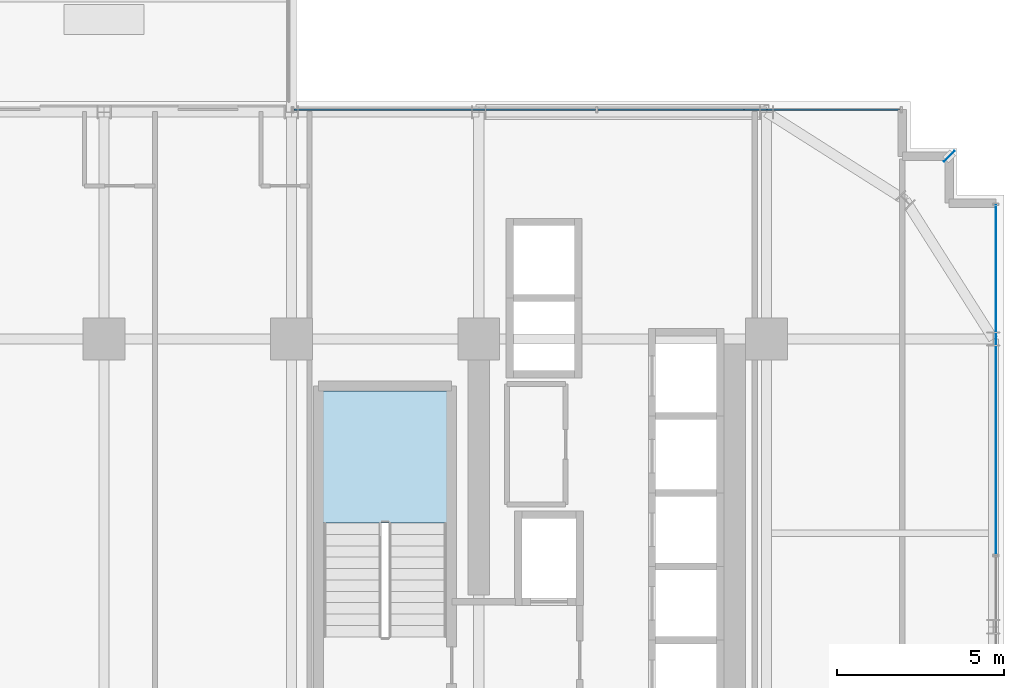
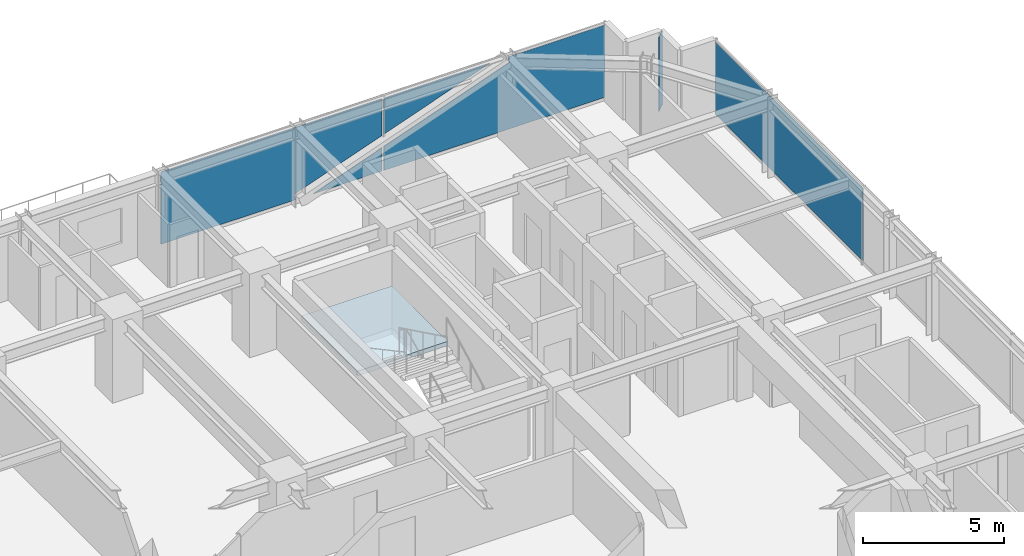
# One storey, part 31 of 39: 4 plates, 1 slab, 3 elements without a shape of their own.
"""IFC4 building model written with IfcOpenShell, lengths in metres."""

from ifc_helpers import new_model, si_unit, direction, frame, origin, origin_2d, place, context, subcontext, project, spatial, polyline, rectangle, outline, extrude, source, transform, mapped, material, layer, layer_set, type_object, element, aggregate, save


model = new_model("IFC4")

# Units and contexts
model_context = context("Model", 3, precision=1e-05, world=origin(), true_north=direction((0.0, 1.0)))
body_context = subcontext(model_context, "Body", "Model", "MODEL_VIEW")
ifc_project = project(units=[si_unit("LENGTHUNIT", "METRE"), si_unit("AREAUNIT", "SQUARE_METRE"), si_unit("VOLUMEUNIT", "CUBIC_METRE"), si_unit("PLANEANGLEUNIT", "RADIAN"), si_unit("MASSUNIT", "GRAM", prefix="KILO")], contexts=[model_context])

# Site, building, storey
site_placement = place(None, origin())
site = spatial("IfcSite", under=ifc_project, at=site_placement, CompositionType="ELEMENT")
building_placement = place(site_placement, origin())
building = spatial("IfcBuilding", under=site, at=building_placement, Name="Nahalor Promenade Grand Hotel", CompositionType="ELEMENT")
storey_placement = place(building_placement, frame((0.0, 0.0, 135.75)))
storey = spatial("IfcBuildingStorey", under=building, at=storey_placement, Name="L34", CompositionType="ELEMENT", Elevation=135.75)

# Curtain wall, plates
ifc_material_1 = material(Name="Anodised Bronze Aluminium EN AW-6063 T6", Category="aluminium")
curtain_wall_type = type_object("IfcCurtainWallType", Name="CW2 Typical Hotel Flush Bronze Unitised Curtain Wall", PredefinedType="USERDEFINED", material=ifc_material_1)
curtain_wall_1_placement = place(storey_placement, origin())
curtain_wall_1 = element("IfcCurtainWall", 1, at=curtain_wall_1_placement, inside=storey, type_object=curtain_wall_type, Name="L34 Curtain Wall CW-L34-N-3", ObjectType="UNITISED_CURTAIN_WALL", PredefinedType="USERDEFINED")
ifc_material_2 = material(Name="Low-E Laminated Solar Glass", Category="glass")
ifc_layer_1 = layer(ifc_material_2, 0.028076171875)
ifc_layer_set_1 = layer_set([ifc_layer_1], Name="Low-E Laminated Solar Glass")
plate_type_1 = type_object("IfcPlateType", Name="CWP2 Bronze Low-E Vision IGU 28mm", PredefinedType="CURTAIN_PANEL", material=ifc_layer_set_1)
plate_1_placement = place(storey_placement, frame((7.38134765625, 23.860107421875, 0.1298828125), z_axis=(0.0, 0.0, 1.0), x_axis=(1.0, 0.0, 0.0)))
plate_1 = element("IfcPlate", 2, at=plate_1_placement, type_object=plate_type_1, Name="CW-L34-N-3 Glazing Panel 0-0", PredefinedType="CURTAIN_PANEL", context=body_context, shape_type="SweptSolid", body=[
    extrude(outline(polyline([(-4.516357421875, 3.1201171875), (-4.516357421875, 0.0), (0.999267578125, 0.0), (0.910888671875, 0.246826171875), (4.516357421875, 1.5380859375), (4.516357421875, 3.1201171875), (-4.516357421875, 3.1201171875)])), frame((0.0, 0.01416015625, 0.0), z_axis=(0.0, -1.0, 0.0), x_axis=(1.0, 0.0, 0.0)), (0.0, 0.0, 1.0), 0.028076171875),
    extrude(outline(polyline([(1.704345703125, 0.0), (4.516357421875, 0.0), (4.516357421875, 1.007080078125), (1.704345703125, 0.0)])), frame((0.0, 0.01416015625, 0.0), z_axis=(0.0, -1.0, 0.0), x_axis=(1.0, 0.0, 0.0)), (0.0, 0.0, 1.0), 0.028076171875),
])
plate_2_placement = place(storey_placement, frame((16.478759765625, 23.860107421875, 0.1298828125), z_axis=(0.0, 0.0, 1.0), x_axis=(1.0, 0.0, 0.0)))
plate_2 = element("IfcPlate", 3, at=plate_2_placement, type_object=plate_type_1, Name="CW-L34-N-3 Glazing Panel 1-0", PredefinedType="CURTAIN_PANEL", context=body_context, shape_type="SweptSolid", body=[
    extrude(outline(polyline([(4.516357421875, 0.0), (4.516357421875, 3.1201171875), (0.54052734375, 3.1201171875), (0.629150390625, 2.873046875), (-4.516357421875, 1.0302734375), (-4.516357421875, 0.0), (4.516357421875, 0.0)])), frame((0.0, 0.01416015625, 0.0), z_axis=(0.0, -1.0, 0.0), x_axis=(1.0, 0.0, 0.0)), (0.0, 0.0, 1.0), 0.028076171875),
    extrude(outline(polyline([(-0.164306640625, 3.1201171875), (-4.516357421875, 3.1201171875), (-4.516357421875, 1.5615234375), (-0.164306640625, 3.1201171875)])), frame((0.0, 0.01416015625, 0.0), z_axis=(0.0, -1.0, 0.0), x_axis=(1.0, 0.0, 0.0)), (0.0, 0.0, 1.0), 0.028076171875),
])
aggregate(curtain_wall_1, [plate_1, plate_2])

# Stair, slab
ifc_material_3 = material(Name="Concrete B-50 (C40/50)", Category="concrete")
stair_type = type_object("IfcStairType", Name="Stair-ST1", PredefinedType="HALF_TURN_STAIR", material=ifc_material_3)
stair_placement = place(storey_placement, origin())
stair = element("IfcStair", 4, at=stair_placement, inside=storey, type_object=stair_type, Name="L34 ST1", PredefinedType="HALF_TURN_STAIR")
ifc_layer_2 = layer(ifc_material_3, 0.199951171875)
ifc_layer_set_2 = layer_set([ifc_layer_2], Name="Concrete B-50 (C40/50)")
slab_type = type_object("IfcSlabType", Name="Landing-ST1", PredefinedType="LANDING", material=ifc_layer_set_2)
slab_placement = place(storey_placement, frame((0.0, 0.0, 1.625)))
slab = element("IfcSlab", 5, at=slab_placement, type_object=slab_type, Name="ST1 landing 1", PredefinedType="LANDING", context=body_context, shape_type="SweptSolid", body=[
    extrude(outline(polyline([(7.449951171875, 11.5), (7.449951171875, 15.449951171875), (3.75, 15.449951171875), (3.75, 11.5), (7.449951171875, 11.5)])), origin(), (0.0, 0.0, 1.0), 0.199951171875),
])
aggregate(stair, [slab])

# Plate
ifc_layer_3 = layer(ifc_material_1, 0.02001953125)
ifc_layer_set_3 = layer_set([ifc_layer_3], Name="Anodised Bronze Aluminium EN AW-6063 T6")
plate_type_2 = type_object("IfcPlateType", Name="Plate-CornerFin-20", PredefinedType="SHEET", material=ifc_layer_set_3)
shared_shape_1 = source(origin(), body_context, "Body", "SweptSolid", [
    extrude(rectangle(XDim=0.449951171875, YDim=0.02001953125, at=origin_2d()), origin(), (0.0, 0.0, 1.0), 3.199951171875),
])
plate_3_placement = place(storey_placement, frame((22.4599609375, 22.4599609375, 0.0), z_axis=(0.0, 0.0, 1.0), x_axis=(0.707106781187, 0.707106781187, 0.0)))
element("IfcPlate", 6, at=plate_3_placement, inside=storey, type_object=plate_type_2, Name="FIN-L34-NE", PredefinedType="SHEET", context=body_context, shape_type="MappedRepresentation", body=[
    mapped(shared_shape_1, transform((0.0, 0.0, 0.0), scale=1.0)),
])

# Curtain wall, plate
curtain_wall_2_placement = place(storey_placement, origin())
curtain_wall_2 = element("IfcCurtainWall", 7, at=curtain_wall_2_placement, inside=storey, type_object=curtain_wall_type, Name="L34 Curtain Wall CW-L34-E-1", ObjectType="UNITISED_CURTAIN_WALL", PredefinedType="USERDEFINED")
shared_shape_2 = source(origin(), body_context, "Body", "SweptSolid", [
    extrude(rectangle(XDim=10.4326171875, YDim=0.028076171875, at=origin_2d()), origin(), (0.0, 0.0, 1.0), 3.1201171875),
])
plate_4_placement = place(storey_placement, frame((23.860107421875, 15.77880859375, 0.1298828125), z_axis=(0.0, 0.0, 1.0), x_axis=(0.0, 1.0, 0.0)))
plate_4 = element("IfcPlate", 8, at=plate_4_placement, type_object=plate_type_1, Name="CW-L34-E-1 Glazing Panel 3-0", PredefinedType="CURTAIN_PANEL", context=body_context, shape_type="MappedRepresentation", body=[
    mapped(shared_shape_2, transform((0.0, 0.0, 0.0), scale=1.0)),
])
aggregate(curtain_wall_2, [plate_4])

save(model, "model.ifc")
